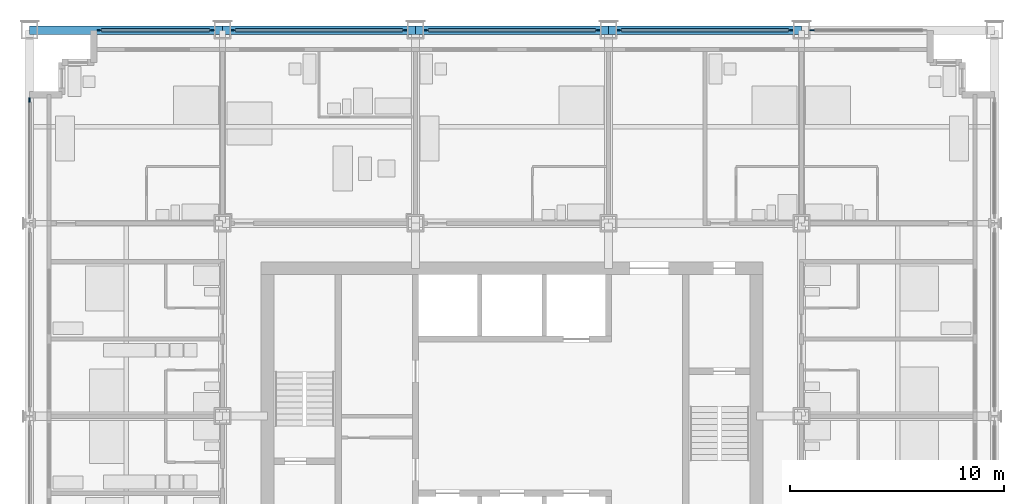
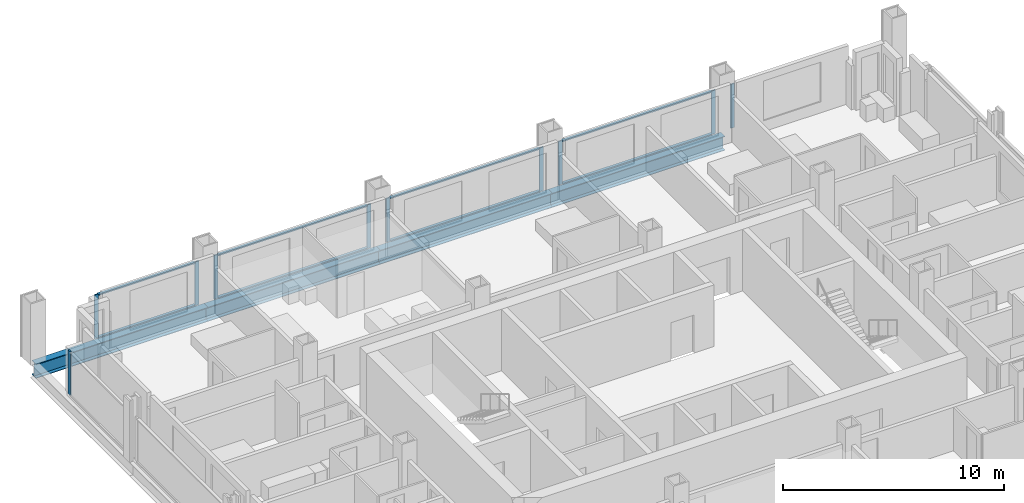
# One storey, part 6 of 16: 18 members, 4 beams, 6 elements without a shape of their own.
"""IFC4 building model written with IfcOpenShell, lengths in metres."""

from ifc_helpers import new_model, si_unit, direction, frame, origin, origin_2d, place, context, subcontext, project, spatial, rectangle, i_section, extrude, material, material_profile, profile_set, type_object, element, aggregate, save


model = new_model("IFC4")

# Units and contexts
model_context = context("Model", 3, precision=1e-05, world=origin(), true_north=direction((0.0, 1.0)))
body_context = subcontext(model_context, "Body", "Model", "MODEL_VIEW")
ifc_project = project(units=[si_unit("LENGTHUNIT", "METRE"), si_unit("AREAUNIT", "SQUARE_METRE"), si_unit("VOLUMEUNIT", "CUBIC_METRE"), si_unit("PLANEANGLEUNIT", "RADIAN"), si_unit("MASSUNIT", "GRAM", prefix="KILO")], contexts=[model_context])

# Site, building, storey
site_placement = place(None, origin())
site = spatial("IfcSite", under=ifc_project, at=site_placement, CompositionType="ELEMENT")
building_placement = place(site_placement, origin())
building = spatial("IfcBuilding", under=site, at=building_placement, Name="Loomwork Tower", CompositionType="ELEMENT")
storey_placement = place(building_placement, frame((0.0, 0.0, 114.60009765625)))
storey = spatial("IfcBuildingStorey", under=building, at=storey_placement, Name="L30", CompositionType="ELEMENT", Elevation=114.60009765625)

# Curtain wall, members
ifc_material_1 = material(Name="Aluminium curtain wall frame", Category="aluminium")
curtain_wall_type = type_object("IfcCurtainWallType", Name="Outer skin glazing hotel", PredefinedType="NOTDEFINED", material=ifc_material_1)
curtain_wall_1_placement = place(storey_placement, origin())
curtain_wall_1 = element("IfcCurtainWall", 1, at=curtain_wall_1_placement, inside=storey, type_object=curtain_wall_type, Name="Outer skin glazing hotel cw/N-0", PredefinedType="NOTDEFINED")
ifc_material_2 = material(Name="Aluminium curtain wall frame", Category="aluminium")
ifc_material_profile_1 = material_profile(ifc_material_2, rectangle(XDim=0.06494140625, YDim=0.199951171875, at=origin_2d()), Name="AL 65x200")
ifc_profile_set_1 = profile_set([ifc_material_profile_1], Name="Aluminium curtain wall frame")
member_type_1 = type_object("IfcMemberType", Name="Outer skin glazing hotel mullion", PredefinedType="MULLION", material=ifc_profile_set_1)
member_1_placement = place(storey_placement, frame((8.5, 36.0, 0.0), z_axis=(0.0, 0.0, 1.0), x_axis=(0.0, -1.0, 0.0)))
member_1 = element("IfcMember", 2, at=member_1_placement, type_object=member_type_1, Name="CW1 mullion 1", PredefinedType="MULLION", context=body_context, shape_type="SweptSolid", body=[
    extrude(rectangle(XDim=0.06494140625, YDim=0.199951171875, at=origin_2d()), origin(), (0.0, 0.0, 1.0), 2.420166015625),
])
member_2_placement = place(storey_placement, frame((3.25, 36.0, 0.0), z_axis=(0.0, 0.0, 1.0), x_axis=(0.0, -1.0, 0.0)))
member_2 = element("IfcMember", 3, at=member_2_placement, type_object=member_type_1, Name="CW1 mullion 2", PredefinedType="MULLION", context=body_context, shape_type="SweptSolid", body=[
    extrude(rectangle(XDim=0.06494140625, YDim=0.199951171875, at=origin_2d()), origin(), (0.0, 0.0, 1.0), 2.420166015625),
])

curtain_wall_2_placement = place(storey_placement, origin())
curtain_wall_2 = element("IfcCurtainWall", 4, at=curtain_wall_2_placement, inside=storey, type_object=curtain_wall_type, Name="Outer skin glazing hotel cw/N-9", PredefinedType="NOTDEFINED")
member_3_placement = place(storey_placement, frame((17.5, 36.0, 0.0), z_axis=(0.0, 0.0, 1.0), x_axis=(0.0, -1.0, 0.0)))
member_3 = element("IfcMember", 5, at=member_3_placement, type_object=member_type_1, Name="CW1 mullion 1", PredefinedType="MULLION", context=body_context, shape_type="SweptSolid", body=[
    extrude(rectangle(XDim=0.06494140625, YDim=0.199951171875, at=origin_2d()), origin(), (0.0, 0.0, 1.0), 2.420166015625),
])
member_4_placement = place(storey_placement, frame((9.5, 36.0, 0.0), z_axis=(0.0, 0.0, 1.0), x_axis=(0.0, -1.0, 0.0)))
member_4 = element("IfcMember", 6, at=member_4_placement, type_object=member_type_1, Name="CW1 mullion 2", PredefinedType="MULLION", context=body_context, shape_type="SweptSolid", body=[
    extrude(rectangle(XDim=0.06494140625, YDim=0.199951171875, at=origin_2d()), origin(), (0.0, 0.0, 1.0), 2.420166015625),
])

curtain_wall_3_placement = place(storey_placement, origin())
curtain_wall_3 = element("IfcCurtainWall", 7, at=curtain_wall_3_placement, inside=storey, type_object=curtain_wall_type, Name="Outer skin glazing hotel cw/N-18", PredefinedType="NOTDEFINED")
member_5_placement = place(storey_placement, frame((26.5, 36.0, 0.0), z_axis=(0.0, 0.0, 1.0), x_axis=(0.0, -1.0, 0.0)))
member_5 = element("IfcMember", 8, at=member_5_placement, type_object=member_type_1, Name="CW1 mullion 1", PredefinedType="MULLION", context=body_context, shape_type="SweptSolid", body=[
    extrude(rectangle(XDim=0.06494140625, YDim=0.199951171875, at=origin_2d()), origin(), (0.0, 0.0, 1.0), 2.420166015625),
])
member_6_placement = place(storey_placement, frame((18.5, 36.0, 0.0), z_axis=(0.0, 0.0, 1.0), x_axis=(0.0, -1.0, 0.0)))
member_6 = element("IfcMember", 9, at=member_6_placement, type_object=member_type_1, Name="CW1 mullion 2", PredefinedType="MULLION", context=body_context, shape_type="SweptSolid", body=[
    extrude(rectangle(XDim=0.06494140625, YDim=0.199951171875, at=origin_2d()), origin(), (0.0, 0.0, 1.0), 2.420166015625),
])

curtain_wall_4_placement = place(storey_placement, origin())
curtain_wall_4 = element("IfcCurtainWall", 10, at=curtain_wall_4_placement, inside=storey, type_object=curtain_wall_type, Name="Outer skin glazing hotel cw/N-27", PredefinedType="NOTDEFINED")
member_7_placement = place(storey_placement, frame((35.5, 36.0, 0.0), z_axis=(0.0, 0.0, 1.0), x_axis=(0.0, -1.0, 0.0)))
member_7 = element("IfcMember", 11, at=member_7_placement, type_object=member_type_1, Name="CW1 mullion 1", PredefinedType="MULLION", context=body_context, shape_type="SweptSolid", body=[
    extrude(rectangle(XDim=0.06494140625, YDim=0.199951171875, at=origin_2d()), origin(), (0.0, 0.0, 1.0), 2.420166015625),
])
member_8_placement = place(storey_placement, frame((27.5, 36.0, 0.0), z_axis=(0.0, 0.0, 1.0), x_axis=(0.0, -1.0, 0.0)))
member_8 = element("IfcMember", 12, at=member_8_placement, type_object=member_type_1, Name="CW1 mullion 2", PredefinedType="MULLION", context=body_context, shape_type="SweptSolid", body=[
    extrude(rectangle(XDim=0.06494140625, YDim=0.199951171875, at=origin_2d()), origin(), (0.0, 0.0, 1.0), 2.420166015625),
])

# Curtain wall, member
curtain_wall_5_placement = place(storey_placement, origin())
curtain_wall_5 = element("IfcCurtainWall", 13, at=curtain_wall_5_placement, inside=storey, type_object=curtain_wall_type, Name="Outer skin glazing hotel cw/N-36", PredefinedType="NOTDEFINED")
member_9_placement = place(storey_placement, frame((36.5, 36.0, 0.0), z_axis=(0.0, 0.0, 1.0), x_axis=(0.0, -1.0, 0.0)))
member_9 = element("IfcMember", 14, at=member_9_placement, type_object=member_type_1, Name="CW1 mullion 2", PredefinedType="MULLION", context=body_context, shape_type="SweptSolid", body=[
    extrude(rectangle(XDim=0.06494140625, YDim=0.199951171875, at=origin_2d()), origin(), (0.0, 0.0, 1.0), 2.420166015625),
])
aggregate(curtain_wall_5, [member_9])

curtain_wall_6_placement = place(storey_placement, origin())
curtain_wall_6 = element("IfcCurtainWall", 15, at=curtain_wall_6_placement, inside=storey, type_object=curtain_wall_type, Name="Outer skin glazing hotel cw/W-27", PredefinedType="NOTDEFINED")
member_10_placement = place(storey_placement, frame((0.0, 32.75, 0.0), z_axis=(0.0, 0.0, 1.0), x_axis=(1.0, 0.0, 0.0)))
member_10 = element("IfcMember", 16, at=member_10_placement, type_object=member_type_1, Name="CW1 mullion 1", PredefinedType="MULLION", context=body_context, shape_type="SweptSolid", body=[
    extrude(rectangle(XDim=0.06494140625, YDim=0.199951171875, at=origin_2d()), origin(), (0.0, 0.0, 1.0), 2.420166015625),
])
aggregate(curtain_wall_6, [member_10])

# Member
ifc_material_3 = material(Name="Aluminium curtain wall frame", Category="aluminium")
ifc_material_profile_2 = material_profile(ifc_material_3, rectangle(XDim=0.14990234375, YDim=0.06494140625, at=origin_2d()), Name="AL 65x150")
ifc_profile_set_2 = profile_set([ifc_material_profile_2], Name="Aluminium curtain wall frame")
member_type_2 = type_object("IfcMemberType", Name="Outer skin glazing hotel transom", PredefinedType="USERDEFINED", material=ifc_profile_set_2)
member_11_placement = place(storey_placement, frame((8.39990234375, 36.0, 0.032470703125), z_axis=(-1.0, 0.0, 0.0), x_axis=(0.0, -1.0, 0.0)))
member_11 = element("IfcMember", 17, at=member_11_placement, type_object=member_type_2, Name="CW1 transom 1.1", ObjectType="TRANSOM", PredefinedType="USERDEFINED", context=body_context, shape_type="SweptSolid", body=[
    extrude(rectangle(XDim=0.14990234375, YDim=0.06494140625, at=origin_2d()), origin(), (0.0, 0.0, 1.0), 5.0498046875),
])

member_12_placement = place(storey_placement, frame((8.39990234375, 36.0, 2.3876953125), z_axis=(-1.0, 0.0, 0.0), x_axis=(0.0, -1.0, 0.0)))
member_12 = element("IfcMember", 18, at=member_12_placement, type_object=member_type_2, Name="CW1 transom 1.2", ObjectType="TRANSOM", PredefinedType="USERDEFINED", context=body_context, shape_type="SweptSolid", body=[
    extrude(rectangle(XDim=0.14990234375, YDim=0.06494140625, at=origin_2d()), origin(), (0.0, 0.0, 1.0), 5.0498046875),
])

aggregate(curtain_wall_1, [member_1, member_2, member_11, member_12])

member_13_placement = place(storey_placement, frame((17.39990234375, 36.0, 0.032470703125), z_axis=(-1.0, 0.0, 0.0), x_axis=(0.0, -1.0, 0.0)))
member_13 = element("IfcMember", 19, at=member_13_placement, type_object=member_type_2, Name="CW1 transom 1.1", ObjectType="TRANSOM", PredefinedType="USERDEFINED", context=body_context, shape_type="SweptSolid", body=[
    extrude(rectangle(XDim=0.14990234375, YDim=0.06494140625, at=origin_2d()), origin(), (0.0, 0.0, 1.0), 7.7998046875),
])

member_14_placement = place(storey_placement, frame((17.39990234375, 36.0, 2.3876953125), z_axis=(-1.0, 0.0, 0.0), x_axis=(0.0, -1.0, 0.0)))
member_14 = element("IfcMember", 20, at=member_14_placement, type_object=member_type_2, Name="CW1 transom 1.2", ObjectType="TRANSOM", PredefinedType="USERDEFINED", context=body_context, shape_type="SweptSolid", body=[
    extrude(rectangle(XDim=0.14990234375, YDim=0.06494140625, at=origin_2d()), origin(), (0.0, 0.0, 1.0), 7.7998046875),
])

aggregate(curtain_wall_2, [member_3, member_4, member_13, member_14])

member_15_placement = place(storey_placement, frame((26.39990234375, 36.0, 0.032470703125), z_axis=(-1.0, 0.0, 0.0), x_axis=(0.0, -1.0, 0.0)))
member_15 = element("IfcMember", 21, at=member_15_placement, type_object=member_type_2, Name="CW1 transom 1.1", ObjectType="TRANSOM", PredefinedType="USERDEFINED", context=body_context, shape_type="SweptSolid", body=[
    extrude(rectangle(XDim=0.14990234375, YDim=0.06494140625, at=origin_2d()), origin(), (0.0, 0.0, 1.0), 7.7998046875),
])

member_16_placement = place(storey_placement, frame((26.39990234375, 36.0, 2.3876953125), z_axis=(-1.0, 0.0, 0.0), x_axis=(0.0, -1.0, 0.0)))
member_16 = element("IfcMember", 22, at=member_16_placement, type_object=member_type_2, Name="CW1 transom 1.2", ObjectType="TRANSOM", PredefinedType="USERDEFINED", context=body_context, shape_type="SweptSolid", body=[
    extrude(rectangle(XDim=0.14990234375, YDim=0.06494140625, at=origin_2d()), origin(), (0.0, 0.0, 1.0), 7.7998046875),
])

aggregate(curtain_wall_3, [member_5, member_6, member_15, member_16])

member_17_placement = place(storey_placement, frame((35.39990234375, 36.0, 0.032470703125), z_axis=(-1.0, 0.0, 0.0), x_axis=(0.0, -1.0, 0.0)))
member_17 = element("IfcMember", 23, at=member_17_placement, type_object=member_type_2, Name="CW1 transom 1.1", ObjectType="TRANSOM", PredefinedType="USERDEFINED", context=body_context, shape_type="SweptSolid", body=[
    extrude(rectangle(XDim=0.14990234375, YDim=0.06494140625, at=origin_2d()), origin(), (0.0, 0.0, 1.0), 7.7998046875),
])

member_18_placement = place(storey_placement, frame((35.39990234375, 36.0, 2.3876953125), z_axis=(-1.0, 0.0, 0.0), x_axis=(0.0, -1.0, 0.0)))
member_18 = element("IfcMember", 24, at=member_18_placement, type_object=member_type_2, Name="CW1 transom 1.2", ObjectType="TRANSOM", PredefinedType="USERDEFINED", context=body_context, shape_type="SweptSolid", body=[
    extrude(rectangle(XDim=0.14990234375, YDim=0.06494140625, at=origin_2d()), origin(), (0.0, 0.0, 1.0), 7.7998046875),
])

aggregate(curtain_wall_4, [member_7, member_8, member_17, member_18])

# Beams
ifc_material_4 = material(Name="Steel ASTM A992", Category="steel")
ifc_material_profile_3 = material_profile(ifc_material_4, i_section(OverallWidth=0.381103515625, OverallDepth=0.77978515625, WebThickness=0.01806640625, FlangeThickness=0.0302734375, at=origin_2d()), Name="W30x191")
ifc_profile_set_3 = profile_set([ifc_material_profile_3], Name="Steel ASTM A992")
beam_type = type_object("IfcBeamType", Name="SPANDREL GIRDER W30x191", PredefinedType="SPANDREL", material=ifc_profile_set_3)
for number, where, z_axis, x_axis, name in (
    (25, (0.0, 36.0, -0.590087890625), (1.0, 0.0, 0.0), (0.0, 1.0, 0.0), "Spandrel Girder H/2-H/3 L30"),
    (26, (9.0, 36.0, -0.590087890625), (1.0, 0.0, 0.0), (0.0, 1.0, 0.0), "Spandrel Girder H/3-H/4 L30"),
    (27, (18.0, 36.0, -0.590087890625), (1.0, 0.0, 0.0), (0.0, 1.0, 0.0), "Spandrel Girder H/4-H/5 L30"),
    (28, (27.0, 36.0, -0.590087890625), (1.0, 0.0, 0.0), (0.0, 1.0, 0.0), "Spandrel Girder H/5-H/6 L30"),
):
    element("IfcBeam", number, at=place(storey_placement, frame(where, z_axis=z_axis, x_axis=x_axis)), inside=storey, type_object=beam_type, Name=name, PredefinedType="SPANDREL", context=body_context, shape_type="SweptSolid", body=[
        extrude(i_section(OverallWidth=0.381103515625, OverallDepth=0.77978515625, WebThickness=0.01806640625, FlangeThickness=0.0302734375, at=origin_2d()), origin(), (0.0, 0.0, 1.0), 9.0),
    ])

save(model, "model.ifc")
